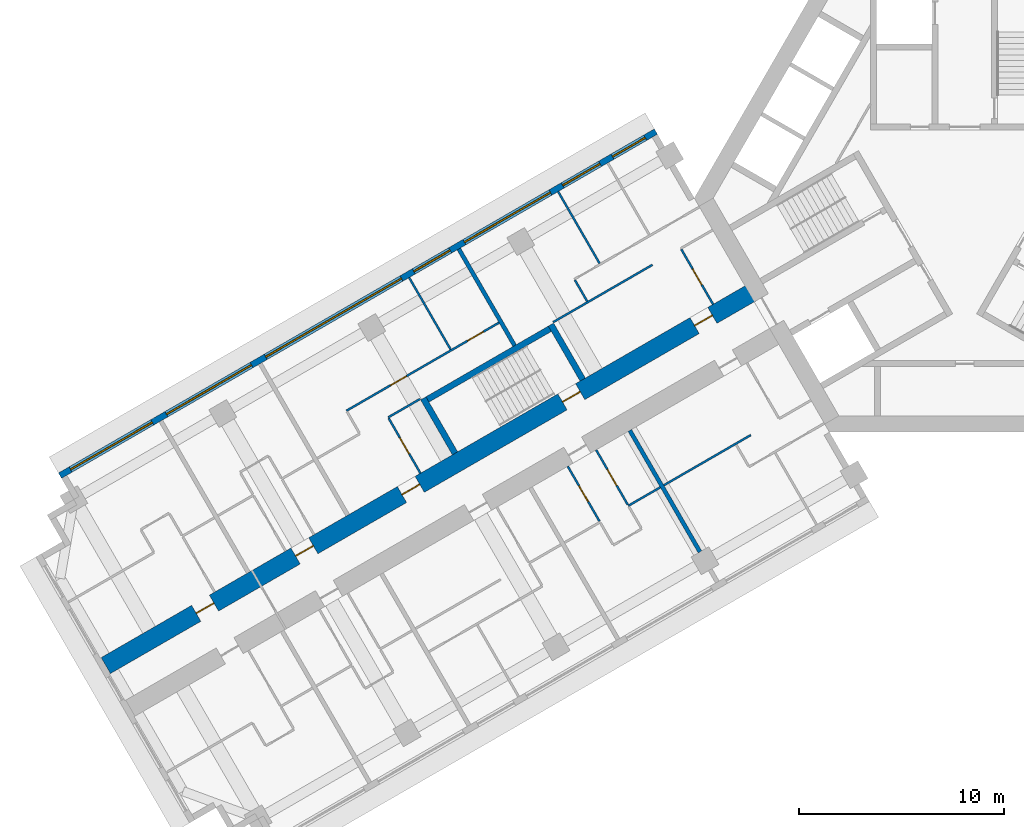
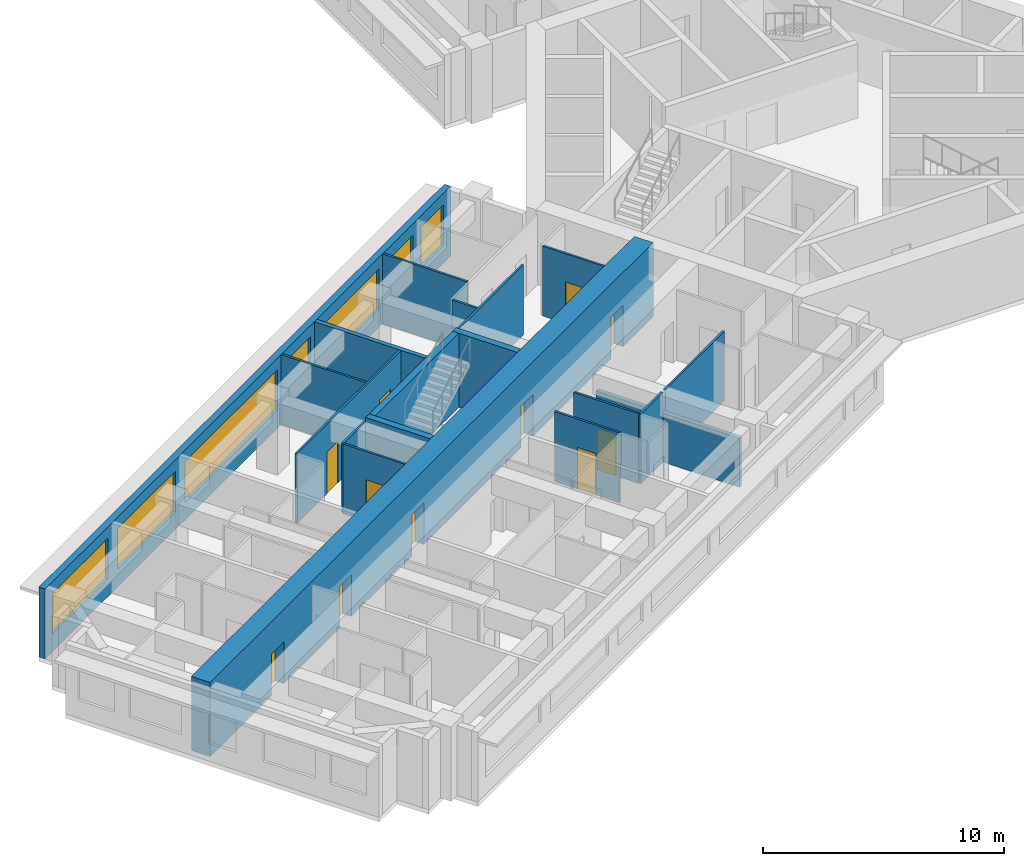
# One storey, part 5 of 15: 19 walls, 11 doors, 7 windows, 18 openings.
"""IFC4 building model written with IfcOpenShell, lengths in metres."""

from ifc_helpers import new_model, si_unit, direction, frame, frame_2d, origin, place, context, subcontext, project, spatial, rectangle, extrude, material, layer, layer_set, type_object, element, fill, save


model = new_model("IFC4")

# Units and contexts
model_context = context("Model", 3, precision=1e-05, world=origin(), true_north=direction((0.0, 1.0)))
body_context = subcontext(model_context, "Body", "Model", "MODEL_VIEW")
ifc_project = project(units=[si_unit("LENGTHUNIT", "METRE"), si_unit("AREAUNIT", "SQUARE_METRE"), si_unit("VOLUMEUNIT", "CUBIC_METRE"), si_unit("PLANEANGLEUNIT", "RADIAN"), si_unit("MASSUNIT", "GRAM", prefix="KILO")], contexts=[model_context])

# Site, building, storey
site_placement = place(None, origin())
site = spatial("IfcSite", under=ifc_project, at=site_placement, CompositionType="ELEMENT")
building_placement = place(site_placement, origin())
building = spatial("IfcBuilding", under=site, at=building_placement, Name="Impinga Residences", CompositionType="ELEMENT")
storey_placement = place(building_placement, frame((0.0, 0.0, 113.5)))
storey = spatial("IfcBuildingStorey", under=building, at=storey_placement, Name="L27", CompositionType="ELEMENT", Elevation=113.5)

# Wall, openings, doors
ifc_material_1 = material(Name="Concrete C60/75", Category="concrete")
ifc_layer_1 = layer(ifc_material_1, 0.89990234375)
ifc_layer_set_1 = layer_set([ifc_layer_1], Name="Concrete C60/75")
wall_type_1 = type_object("IfcWallType", Name="BW2 corridor buttress wall, L24 to L44 900", PredefinedType="SHEAR", material=ifc_layer_set_1)
wall_1_placement = place(storey_placement, frame((-10.153564453125, -4.4765625, 0.0), z_axis=(0.0, 0.0, 1.0), x_axis=(-0.866027614434, -0.499996171023, 0.0)))
wall_1 = element("IfcWall", 1, at=wall_1_placement, inside=storey, type_object=wall_type_1, Name="Corridor wall BW2 WD L27", PredefinedType="SHEAR", context=body_context, shape_type="SweptSolid", body=[
    extrude(rectangle(XDim=36.699951171875, YDim=0.89990234375, at=frame_2d((18.35009765625, 0.0))), origin(), (0.0, 0.0, 1.0), 3.75),
])
opening_1_placement = place(wall_1_placement, frame((9.949951171875, 0.0, 0.0)))
opening_1 = element("IfcOpeningElement", 2, at=opening_1_placement, cuts=wall_1, Name="Opening D5", PredefinedType="OPENING", context=body_context, shape_type="SweptSolid", body=[
    extrude(rectangle(XDim=1.0, YDim=2.10009765625, at=frame_2d((0.5, 1.050048828125))), frame((0.0, 0.4599609375, 0.0), z_axis=(0.0, -1.0, 0.0), x_axis=(1.0, 0.0, 0.0)), (0.0, 0.0, 1.0), 0.919921875),
])
opening_2_placement = place(wall_1_placement, frame((2.5, 0.0, 0.0)))
opening_2 = element("IfcOpeningElement", 3, at=opening_2_placement, cuts=wall_1, Name="Opening D1", PredefinedType="OPENING", context=body_context, shape_type="SweptSolid", body=[
    extrude(rectangle(XDim=1.0, YDim=2.10009765625, at=frame_2d((0.5, 1.050048828125))), frame((0.0, 0.4599609375, 0.0), z_axis=(0.0, -1.0, 0.0), x_axis=(1.0, 0.0, 0.0)), (0.0, 0.0, 1.0), 0.919921875),
])
opening_3_placement = place(wall_1_placement, frame((19.0, 0.0, 0.0)))
opening_3 = element("IfcOpeningElement", 4, at=opening_3_placement, cuts=wall_1, Name="Opening D1", PredefinedType="OPENING", context=body_context, shape_type="SweptSolid", body=[
    extrude(rectangle(XDim=1.0, YDim=2.10009765625, at=frame_2d((0.5, 1.050048828125))), frame((0.0, 0.4599609375, 0.0), z_axis=(0.0, -1.0, 0.0), x_axis=(1.0, 0.0, 0.0)), (0.0, 0.0, 1.0), 0.919921875),
])
opening_4_placement = place(wall_1_placement, frame((25.0, 0.0, 0.0)))
opening_4 = element("IfcOpeningElement", 5, at=opening_4_placement, cuts=wall_1, Name="Opening D1", PredefinedType="OPENING", context=body_context, shape_type="SweptSolid", body=[
    extrude(rectangle(XDim=1.0, YDim=2.10009765625, at=frame_2d((0.5, 1.050048828125))), frame((0.0, 0.4599609375, 0.0), z_axis=(0.0, -1.0, 0.0), x_axis=(1.0, 0.0, 0.0)), (0.0, 0.0, 1.0), 0.919921875),
])
opening_5_placement = place(wall_1_placement, frame((30.60009765625, 0.0, 0.0)))
opening_5 = element("IfcOpeningElement", 6, at=opening_5_placement, cuts=wall_1, Name="Opening D1", PredefinedType="OPENING", context=body_context, shape_type="SweptSolid", body=[
    extrude(rectangle(XDim=1.0, YDim=2.10009765625, at=frame_2d((0.5, 1.050048828125))), frame((0.0, 0.4599609375, 0.0), z_axis=(0.0, -1.0, 0.0), x_axis=(1.0, 0.0, 0.0)), (0.0, 0.0, 1.0), 0.919921875),
])
ifc_material_2 = material(Name="Timber door set", Category="wood")
door_type_1 = type_object("IfcDoorType", Name="D1 apartment entrance door 1000x2100", OperationType="SINGLE_SWING_LEFT", PredefinedType="DOOR", material=ifc_material_2)
door_1_placement = place(opening_2_placement, origin())
door_1 = element("IfcDoor", 7, at=door_1_placement, inside=storey, type_object=door_type_1, Name="Apartment L27-WF1 entrance", OperationType="SINGLE_SWING_LEFT", OverallHeight=2.10009765625, OverallWidth=1.0, PredefinedType="DOOR", context=body_context, shape_type="SweptSolid", body=[
    extrude(rectangle(XDim=1.0, YDim=2.10009765625, at=frame_2d((0.5, 1.050048828125))), frame((0.0, 0.02490234375, 0.0), z_axis=(0.0, -1.0, 0.0), x_axis=(1.0, 0.0, 0.0)), (0.0, 0.0, 1.0), 0.050048828125),
])
fill(opening_2, door_1)
door_2_placement = place(opening_3_placement, origin())
door_2 = element("IfcDoor", 8, at=door_2_placement, inside=storey, type_object=door_type_1, Name="Apartment L27-WF2 entrance", OperationType="SINGLE_SWING_RIGHT", OverallHeight=2.10009765625, OverallWidth=1.0, PredefinedType="DOOR", context=body_context, shape_type="SweptSolid", body=[
    extrude(rectangle(XDim=1.0, YDim=2.10009765625, at=frame_2d((0.5, 1.050048828125))), frame((0.0, 0.02490234375, 0.0), z_axis=(0.0, -1.0, 0.0), x_axis=(1.0, 0.0, 0.0)), (0.0, 0.0, 1.0), 0.050048828125),
])
fill(opening_3, door_2)
door_3_placement = place(opening_4_placement, origin())
door_3 = element("IfcDoor", 9, at=door_3_placement, inside=storey, type_object=door_type_1, Name="Apartment L27-WF3 entrance", OperationType="SINGLE_SWING_RIGHT", OverallHeight=2.10009765625, OverallWidth=1.0, PredefinedType="DOOR", context=body_context, shape_type="SweptSolid", body=[
    extrude(rectangle(XDim=1.0, YDim=2.10009765625, at=frame_2d((0.5, 1.050048828125))), frame((0.0, 0.02490234375, 0.0), z_axis=(0.0, -1.0, 0.0), x_axis=(1.0, 0.0, 0.0)), (0.0, 0.0, 1.0), 0.050048828125),
])
fill(opening_4, door_3)
door_4_placement = place(opening_5_placement, origin())
door_4 = element("IfcDoor", 10, at=door_4_placement, inside=storey, type_object=door_type_1, Name="Apartment L27-WF4 entrance", OperationType="SINGLE_SWING_RIGHT", OverallHeight=2.10009765625, OverallWidth=1.0, PredefinedType="DOOR", context=body_context, shape_type="SweptSolid", body=[
    extrude(rectangle(XDim=1.0, YDim=2.10009765625, at=frame_2d((0.5, 1.050048828125))), frame((0.0, 0.02490234375, 0.0), z_axis=(0.0, -1.0, 0.0), x_axis=(1.0, 0.0, 0.0)), (0.0, 0.0, 1.0), 0.050048828125),
])
fill(opening_5, door_4)
door_type_2 = type_object("IfcDoorType", Name="D5 stair door 1000x2100", OperationType="SINGLE_SWING_LEFT", PredefinedType="DOOR", material=ifc_material_2)
door_5_placement = place(opening_1_placement, origin())
door_5 = element("IfcDoor", 11, at=door_5_placement, inside=storey, type_object=door_type_2, Name="Wing stair door W", OperationType="SINGLE_SWING_LEFT", OverallHeight=2.10009765625, OverallWidth=1.0, PredefinedType="DOOR", context=body_context, shape_type="SweptSolid", body=[
    extrude(rectangle(XDim=1.0, YDim=2.10009765625, at=frame_2d((0.5, 1.050048828125))), frame((0.0, 0.02490234375, 0.0), z_axis=(0.0, -1.0, 0.0), x_axis=(1.0, 0.0, 0.0)), (0.0, 0.0, 1.0), 0.050048828125),
])
fill(opening_1, door_5)

# Wall, openings, windows
ifc_material_3 = material(Name="Terracotta rainscreen on blockwork", Category="masonry")
ifc_layer_2 = layer(ifc_material_3, 0.300048828125)
ifc_layer_set_2 = layer_set([ifc_layer_2], Name="EW1 external wall, terracotta rainscreen on blockwork 300")
wall_type_2 = type_object("IfcWallType", Name="EW1 external wall, terracotta rainscreen on blockwork 300", PredefinedType="SOLIDWALL", material=ifc_layer_set_2)
wall_2_placement = place(storey_placement, frame((-44.17333984375, -13.552490234375, 0.0), z_axis=(0.0, 0.0, 1.0), x_axis=(0.866024291668, 0.500001926238, 0.0)))
wall_2 = element("IfcWall", 12, at=wall_2_placement, inside=storey, type_object=wall_type_2, Name="External wall EW1 L27", PredefinedType="SOLIDWALL", context=body_context, shape_type="SweptSolid", body=[
    extrude(rectangle(XDim=33.599853515625, YDim=0.300048828125, at=frame_2d((16.7998046875, 0.0))), origin(), (0.0, 0.0, 1.0), 3.530029296875),
])
opening_6_placement = place(wall_2_placement, frame((0.60009765625, 0.0, 0.89990234375)))
opening_6 = element("IfcOpeningElement", 13, at=opening_6_placement, cuts=wall_2, Name="Opening W3", PredefinedType="OPENING", context=body_context, shape_type="SweptSolid", body=[
    extrude(rectangle(XDim=4.60009765625, YDim=2.050048828125, at=frame_2d((2.300048828125, 1.02490234375))), frame((0.0, 0.159912109375, 0.0), z_axis=(0.0, -1.0, 0.0), x_axis=(1.0, 0.0, 0.0)), (0.0, 0.0, 1.0), 0.320068359375),
])
opening_7_placement = place(wall_2_placement, frame((6.0, 0.0, 0.89990234375)))
opening_7 = element("IfcOpeningElement", 14, at=opening_7_placement, cuts=wall_2, Name="Opening W8", PredefinedType="OPENING", context=body_context, shape_type="SweptSolid", body=[
    extrude(rectangle(XDim=4.800048828125, YDim=2.050048828125, at=frame_2d((2.39990234375, 1.02490234375))), frame((0.0, 0.159912109375, 0.0), z_axis=(0.0, -1.0, 0.0), x_axis=(1.0, 0.0, 0.0)), (0.0, 0.0, 1.0), 0.320068359375),
])
opening_8_placement = place(wall_2_placement, frame((11.60009765625, 0.0, 0.89990234375)))
opening_8 = element("IfcOpeningElement", 15, at=opening_8_placement, cuts=wall_2, Name="Opening W13", PredefinedType="OPENING", context=body_context, shape_type="SweptSolid", body=[
    extrude(rectangle(XDim=7.64990234375, YDim=2.050048828125, at=frame_2d((3.824951171875, 1.02490234375))), frame((0.0, 0.159912109375, 0.0), z_axis=(0.0, -1.0, 0.0), x_axis=(1.0, 0.0, 0.0)), (0.0, 0.0, 1.0), 0.320068359375),
])
opening_9_placement = place(wall_2_placement, frame((19.949951171875, 0.0, 0.89990234375)))
opening_9 = element("IfcOpeningElement", 16, at=opening_9_placement, cuts=wall_2, Name="Opening W14", PredefinedType="OPENING", context=body_context, shape_type="SweptSolid", body=[
    extrude(rectangle(XDim=2.050048828125, YDim=2.050048828125, at=frame_2d((1.02490234375, 1.02490234375))), frame((0.0, 0.159912109375, 0.0), z_axis=(0.0, -1.0, 0.0), x_axis=(1.0, 0.0, 0.0)), (0.0, 0.0, 1.0), 0.320068359375),
])
opening_10_placement = place(wall_2_placement, frame((22.800048828125, 0.0, 0.89990234375)))
opening_10 = element("IfcOpeningElement", 17, at=opening_10_placement, cuts=wall_2, Name="Opening W6", PredefinedType="OPENING", context=body_context, shape_type="SweptSolid", body=[
    extrude(rectangle(XDim=4.85009765625, YDim=2.050048828125, at=frame_2d((2.425048828125, 1.02490234375))), frame((0.0, 0.159912109375, 0.0), z_axis=(0.0, -1.0, 0.0), x_axis=(1.0, 0.0, 0.0)), (0.0, 0.0, 1.0), 0.320068359375),
])
opening_11_placement = place(wall_2_placement, frame((28.35009765625, 0.0, 0.89990234375)))
opening_11 = element("IfcOpeningElement", 18, at=opening_11_placement, cuts=wall_2, Name="Opening W9", PredefinedType="OPENING", context=body_context, shape_type="SweptSolid", body=[
    extrude(rectangle(XDim=2.10009765625, YDim=2.050048828125, at=frame_2d((1.050048828125, 1.02490234375))), frame((0.0, 0.159912109375, 0.0), z_axis=(0.0, -1.0, 0.0), x_axis=(1.0, 0.0, 0.0)), (0.0, 0.0, 1.0), 0.320068359375),
])
opening_12_placement = place(wall_2_placement, frame((31.14990234375, 0.0, 0.89990234375)))
opening_12 = element("IfcOpeningElement", 19, at=opening_12_placement, cuts=wall_2, Name="Opening W15", PredefinedType="OPENING", context=body_context, shape_type="SweptSolid", body=[
    extrude(rectangle(XDim=1.85009765625, YDim=2.050048828125, at=frame_2d((0.925048828125, 1.02490234375))), frame((0.0, 0.159912109375, 0.0), z_axis=(0.0, -1.0, 0.0), x_axis=(1.0, 0.0, 0.0)), (0.0, 0.0, 1.0), 0.320068359375),
])
ifc_material_4 = material(Name="Aluminium window, clear double glazing", Category="aluminium")
window_type_1 = type_object("IfcWindowType", Name="W13 ribbon window 7650x2050", PartitioningType="SINGLE_PANEL", PredefinedType="WINDOW", material=ifc_material_4)
window_1_placement = place(opening_8_placement, origin())
window_1 = element("IfcWindow", 20, at=window_1_placement, inside=storey, type_object=window_type_1, Name="Window L27", OverallHeight=2.050048828125, OverallWidth=7.64990234375, PartitioningType="SINGLE_PANEL", PredefinedType="WINDOW", context=body_context, shape_type="SweptSolid", body=[
    extrude(rectangle(XDim=7.64990234375, YDim=2.050048828125, at=frame_2d((3.824951171875, 1.02490234375))), frame((0.0, 0.030029296875, 0.0), z_axis=(0.0, -1.0, 0.0), x_axis=(1.0, 0.0, 0.0)), (0.0, 0.0, 1.0), 0.06005859375),
])
fill(opening_8, window_1)
window_type_2 = type_object("IfcWindowType", Name="W14 ribbon window 2050x2050", PartitioningType="SINGLE_PANEL", PredefinedType="WINDOW", material=ifc_material_4)
window_2_placement = place(opening_9_placement, origin())
window_2 = element("IfcWindow", 21, at=window_2_placement, inside=storey, type_object=window_type_2, Name="Window L27", OverallHeight=2.050048828125, OverallWidth=2.050048828125, PartitioningType="SINGLE_PANEL", PredefinedType="WINDOW", context=body_context, shape_type="SweptSolid", body=[
    extrude(rectangle(XDim=2.050048828125, YDim=2.050048828125, at=frame_2d((1.02490234375, 1.02490234375))), frame((0.0, 0.030029296875, 0.0), z_axis=(0.0, -1.0, 0.0), x_axis=(1.0, 0.0, 0.0)), (0.0, 0.0, 1.0), 0.06005859375),
])
fill(opening_9, window_2)
window_type_3 = type_object("IfcWindowType", Name="W15 ribbon window 1850x2050", PartitioningType="SINGLE_PANEL", PredefinedType="WINDOW", material=ifc_material_4)
window_3_placement = place(opening_12_placement, origin())
window_3 = element("IfcWindow", 22, at=window_3_placement, inside=storey, type_object=window_type_3, Name="Window L27", OverallHeight=2.050048828125, OverallWidth=1.85009765625, PartitioningType="SINGLE_PANEL", PredefinedType="WINDOW", context=body_context, shape_type="SweptSolid", body=[
    extrude(rectangle(XDim=1.85009765625, YDim=2.050048828125, at=frame_2d((0.925048828125, 1.02490234375))), frame((0.0, 0.030029296875, 0.0), z_axis=(0.0, -1.0, 0.0), x_axis=(1.0, 0.0, 0.0)), (0.0, 0.0, 1.0), 0.06005859375),
])
fill(opening_12, window_3)
window_type_4 = type_object("IfcWindowType", Name="W3 ribbon window 4600x2050", PartitioningType="SINGLE_PANEL", PredefinedType="WINDOW", material=ifc_material_4)
window_4_placement = place(opening_6_placement, origin())
window_4 = element("IfcWindow", 23, at=window_4_placement, inside=storey, type_object=window_type_4, Name="Window L27", OverallHeight=2.050048828125, OverallWidth=4.60009765625, PartitioningType="SINGLE_PANEL", PredefinedType="WINDOW", context=body_context, shape_type="SweptSolid", body=[
    extrude(rectangle(XDim=4.60009765625, YDim=2.050048828125, at=frame_2d((2.300048828125, 1.02490234375))), frame((0.0, 0.030029296875, 0.0), z_axis=(0.0, -1.0, 0.0), x_axis=(1.0, 0.0, 0.0)), (0.0, 0.0, 1.0), 0.06005859375),
])
fill(opening_6, window_4)
window_type_5 = type_object("IfcWindowType", Name="W6 ribbon window 4850x2050", PartitioningType="SINGLE_PANEL", PredefinedType="WINDOW", material=ifc_material_4)
window_5_placement = place(opening_10_placement, origin())
window_5 = element("IfcWindow", 24, at=window_5_placement, inside=storey, type_object=window_type_5, Name="Window L27", OverallHeight=2.050048828125, OverallWidth=4.85009765625, PartitioningType="SINGLE_PANEL", PredefinedType="WINDOW", context=body_context, shape_type="SweptSolid", body=[
    extrude(rectangle(XDim=4.85009765625, YDim=2.050048828125, at=frame_2d((2.425048828125, 1.02490234375))), frame((0.0, 0.030029296875, 0.0), z_axis=(0.0, -1.0, 0.0), x_axis=(1.0, 0.0, 0.0)), (0.0, 0.0, 1.0), 0.06005859375),
])
fill(opening_10, window_5)
window_type_6 = type_object("IfcWindowType", Name="W8 ribbon window 4800x2050", PartitioningType="SINGLE_PANEL", PredefinedType="WINDOW", material=ifc_material_4)
window_6_placement = place(opening_7_placement, origin())
window_6 = element("IfcWindow", 25, at=window_6_placement, inside=storey, type_object=window_type_6, Name="Window L27", OverallHeight=2.050048828125, OverallWidth=4.800048828125, PartitioningType="SINGLE_PANEL", PredefinedType="WINDOW", context=body_context, shape_type="SweptSolid", body=[
    extrude(rectangle(XDim=4.800048828125, YDim=2.050048828125, at=frame_2d((2.39990234375, 1.02490234375))), frame((0.0, 0.030029296875, 0.0), z_axis=(0.0, -1.0, 0.0), x_axis=(1.0, 0.0, 0.0)), (0.0, 0.0, 1.0), 0.06005859375),
])
fill(opening_7, window_6)
window_type_7 = type_object("IfcWindowType", Name="W9 ribbon window 2100x2050", PartitioningType="SINGLE_PANEL", PredefinedType="WINDOW", material=ifc_material_4)
window_7_placement = place(opening_11_placement, origin())
window_7 = element("IfcWindow", 26, at=window_7_placement, inside=storey, type_object=window_type_7, Name="Window L27", OverallHeight=2.050048828125, OverallWidth=2.10009765625, PartitioningType="SINGLE_PANEL", PredefinedType="WINDOW", context=body_context, shape_type="SweptSolid", body=[
    extrude(rectangle(XDim=2.10009765625, YDim=2.050048828125, at=frame_2d((1.050048828125, 1.02490234375))), frame((0.0, 0.030029296875, 0.0), z_axis=(0.0, -1.0, 0.0), x_axis=(1.0, 0.0, 0.0)), (0.0, 0.0, 1.0), 0.06005859375),
])
fill(opening_11, window_7)

# Walls
ifc_material_5 = material(Name="Gypsum board on steel studs", Category="steel")
ifc_layer_3 = layer(ifc_material_5, 0.10009765625)
ifc_layer_set_3 = layer_set([ifc_layer_3], Name="Gypsum board on steel studs")
wall_type_3 = type_object("IfcWallType", Name="IP1 partition 100", PredefinedType="PARTITIONING", material=ifc_layer_set_3)
wall_3_placement = place(storey_placement, frame((-10.444580078125, -11.57275390625, 0.0), z_axis=(0.0, 0.0, 1.0), x_axis=(-0.866023786258, -0.500002801628, 0.0)))
element("IfcWall", 27, at=wall_3_placement, inside=storey, type_object=wall_type_3, Name="Partition L27-WA1:DIV1", PredefinedType="PARTITIONING", context=body_context, shape_type="SweptSolid", body=[
    extrude(rectangle(XDim=4.89990234375, YDim=0.10009765625, at=frame_2d((2.449951171875, 0.0))), origin(), (0.0, 0.0, 1.0), 3.530029296875),
])
wall_4_placement = place(storey_placement, frame((-14.861328125, -14.122802734375, 0.0), z_axis=(0.0, 0.0, 1.0), x_axis=(-0.866047807691, -0.499961193289, 0.0)))
element("IfcWall", 28, at=wall_4_placement, inside=storey, type_object=wall_type_3, Name="Partition L27-WA2:DIV0", PredefinedType="PARTITIONING", context=body_context, shape_type="SweptSolid", body=[
    extrude(rectangle(XDim=1.800048828125, YDim=0.10009765625, at=frame_2d((0.89990234375, 0.0))), origin(), (0.0, 0.0, 1.0), 3.530029296875),
])

# Wall, opening, door
wall_5_placement = place(storey_placement, frame((-17.9951171875, -12.294677734375, 0.0), z_axis=(0.0, 0.0, 1.0), x_axis=(0.49999285859, -0.86602952684, 0.0)))
wall_5 = element("IfcWall", 29, at=wall_5_placement, inside=storey, type_object=wall_type_3, Name="Partition L27-WA2:IB1", PredefinedType="PARTITIONING", context=body_context, shape_type="SweptSolid", body=[
    extrude(rectangle(XDim=3.10009765625, YDim=0.10009765625, at=frame_2d((1.550048828125, 0.0))), origin(), (0.0, 0.0, 1.0), 3.530029296875),
])
opening_13_placement = place(wall_5_placement, frame((1.10009765625, 0.0, 0.0)))
opening_13 = element("IfcOpeningElement", 30, at=opening_13_placement, cuts=wall_5, Name="Opening D2", PredefinedType="OPENING", context=body_context, shape_type="SweptSolid", body=[
    extrude(rectangle(XDim=0.89990234375, YDim=2.10009765625, at=frame_2d((0.449951171875, 1.050048828125))), frame((0.0, 0.06005859375, 0.0), z_axis=(0.0, -1.0, 0.0), x_axis=(1.0, 0.0, 0.0)), (0.0, 0.0, 1.0), 0.1201171875),
])
door_type_3 = type_object("IfcDoorType", Name="D2 internal door 900x2100", OperationType="SINGLE_SWING_LEFT", PredefinedType="DOOR", material=ifc_material_2)
door_6_placement = place(opening_13_placement, origin())
door_6 = element("IfcDoor", 31, at=door_6_placement, inside=storey, type_object=door_type_3, Name="Apartment L27-WA2 bathroom door", OperationType="SINGLE_SWING_LEFT", OverallHeight=2.10009765625, OverallWidth=0.89990234375, PredefinedType="DOOR", context=body_context, shape_type="SweptSolid", body=[
    extrude(rectangle(XDim=0.89990234375, YDim=2.10009765625, at=frame_2d((0.449951171875, 1.050048828125))), frame((0.0, 0.02490234375, 0.0), z_axis=(0.0, -1.0, 0.0), x_axis=(1.0, 0.0, 0.0)), (0.0, 0.0, 1.0), 0.050048828125),
])
fill(opening_13, door_6)

wall_6_placement = place(storey_placement, frame((-19.380615234375, -13.0947265625, 0.0), z_axis=(0.0, 0.0, 1.0), x_axis=(0.499967891604, -0.866043940782, 0.0)))
wall_6 = element("IfcWall", 32, at=wall_6_placement, inside=storey, type_object=wall_type_3, Name="Partition L27-WA2:IB2", PredefinedType="PARTITIONING", context=body_context, shape_type="SweptSolid", body=[
    extrude(rectangle(XDim=3.099853515625, YDim=0.10009765625, at=frame_2d((1.5498046875, 0.0))), origin(), (0.0, 0.0, 1.0), 3.530029296875),
])
opening_14_placement = place(wall_6_placement, frame((1.10009765625, 0.0, 0.0)))
opening_14 = element("IfcOpeningElement", 33, at=opening_14_placement, cuts=wall_6, Name="Opening D2", PredefinedType="OPENING", context=body_context, shape_type="SweptSolid", body=[
    extrude(rectangle(XDim=0.89990234375, YDim=2.10009765625, at=frame_2d((0.449951171875, 1.050048828125))), frame((0.0, 0.06005859375, 0.0), z_axis=(0.0, -1.0, 0.0), x_axis=(1.0, 0.0, 0.0)), (0.0, 0.0, 1.0), 0.1201171875),
])
door_7_placement = place(opening_14_placement, origin())
door_7 = element("IfcDoor", 34, at=door_7_placement, inside=storey, type_object=door_type_3, Name="Apartment L27-WA2 WC door", OperationType="SINGLE_SWING_LEFT", OverallHeight=2.10009765625, OverallWidth=0.89990234375, PredefinedType="DOOR", context=body_context, shape_type="SweptSolid", body=[
    extrude(rectangle(XDim=0.89990234375, YDim=2.10009765625, at=frame_2d((0.449951171875, 1.050048828125))), frame((0.0, 0.02490234375, 0.0), z_axis=(0.0, -1.0, 0.0), x_axis=(1.0, 0.0, 0.0)), (0.0, 0.0, 1.0), 0.050048828125),
])
fill(opening_14, door_7)

# Walls
wall_7_placement = place(storey_placement, frame((-15.244384765625, -3.2587890625, 0.0), z_axis=(0.0, 0.0, 1.0), x_axis=(-0.866026594901, -0.49999793692, 0.0)))
element("IfcWall", 35, at=wall_7_placement, inside=storey, type_object=wall_type_3, Name="Partition L27-WF1:DIV1", PredefinedType="PARTITIONING", context=body_context, shape_type="SweptSolid", body=[
    extrude(rectangle(XDim=5.60009765625, YDim=0.10009765625, at=frame_2d((2.800048828125, 0.0))), origin(), (0.0, 0.0, 1.0), 3.530029296875),
])
wall_8_placement = place(storey_placement, frame((-18.430419921875, -5.04052734375, 0.0), z_axis=(0.0, 0.0, 1.0), x_axis=(-0.500033551112, 0.866006032174, 0.0)))
element("IfcWall", 36, at=wall_8_placement, inside=storey, type_object=wall_type_3, Name="Partition L27-WF1:SE1", PredefinedType="PARTITIONING", context=body_context, shape_type="SweptSolid", body=[
    extrude(rectangle(XDim=1.2001953125, YDim=0.10009765625, at=frame_2d((0.60009765625, 0.0))), origin(), (0.0, 0.0, 1.0), 3.530029296875),
])

# Wall, opening, door
wall_9_placement = place(storey_placement, frame((-12.283935546875, -5.186767578125, 0.0), z_axis=(0.0, 0.0, 1.0), x_axis=(-0.499967891604, 0.866043940782, 0.0)))
wall_9 = element("IfcWall", 37, at=wall_9_placement, inside=storey, type_object=wall_type_3, Name="Partition L27-WF1:IB1", PredefinedType="PARTITIONING", context=body_context, shape_type="SweptSolid", body=[
    extrude(rectangle(XDim=3.099853515625, YDim=0.10009765625, at=frame_2d((1.5498046875, 0.0))), origin(), (0.0, 0.0, 1.0), 3.530029296875),
])
opening_15_placement = place(wall_9_placement, frame((1.10009765625, 0.0, 0.0)))
opening_15 = element("IfcOpeningElement", 38, at=opening_15_placement, cuts=wall_9, Name="Opening D2", PredefinedType="OPENING", context=body_context, shape_type="SweptSolid", body=[
    extrude(rectangle(XDim=0.89990234375, YDim=2.10009765625, at=frame_2d((0.449951171875, 1.050048828125))), frame((0.0, 0.06005859375, 0.0), z_axis=(0.0, -1.0, 0.0), x_axis=(1.0, 0.0, 0.0)), (0.0, 0.0, 1.0), 0.1201171875),
])
door_8_placement = place(opening_15_placement, origin())
door_8 = element("IfcDoor", 39, at=door_8_placement, inside=storey, type_object=door_type_3, Name="Apartment L27-WF1 bathroom door", OperationType="SINGLE_SWING_LEFT", OverallHeight=2.10009765625, OverallWidth=0.89990234375, PredefinedType="DOOR", context=body_context, shape_type="SweptSolid", body=[
    extrude(rectangle(XDim=0.89990234375, YDim=2.10009765625, at=frame_2d((0.449951171875, 1.050048828125))), frame((0.0, 0.02490234375, 0.0), z_axis=(0.0, -1.0, 0.0), x_axis=(1.0, 0.0, 0.0)), (0.0, 0.0, 1.0), 0.050048828125),
])
fill(opening_15, door_8)

# Walls
wall_10_placement = place(storey_placement, frame((-17.82470703125, -3.189697265625, 0.0), z_axis=(0.0, 0.0, 1.0), x_axis=(-0.500035537042, 0.866004885491, 0.0)))
element("IfcWall", 40, at=wall_10_placement, inside=storey, type_object=wall_type_3, Name="Partition L27-WF1:OB2", PredefinedType="PARTITIONING", context=body_context, shape_type="SweptSolid", body=[
    extrude(rectangle(XDim=4.050048828125, YDim=0.10009765625, at=frame_2d((2.02490234375, 0.0))), origin(), (0.0, 0.0, 1.0), 3.530029296875),
])
wall_11_placement = place(storey_placement, frame((-26.58935546875, -9.808837890625, 0.0), z_axis=(0.0, 0.0, 1.0), x_axis=(-0.866047807691, -0.499961193289, 0.0)))
element("IfcWall", 41, at=wall_11_placement, inside=storey, type_object=wall_type_3, Name="Partition L27-WF2:DIV0", PredefinedType="PARTITIONING", context=body_context, shape_type="SweptSolid", body=[
    extrude(rectangle(XDim=1.800048828125, YDim=0.10009765625, at=frame_2d((0.89990234375, 0.0))), origin(), (0.0, 0.0, 1.0), 3.530029296875),
])

# Wall, openings, doors
wall_12_placement = place(storey_placement, frame((-22.736083984375, -6.0830078125, 0.0), z_axis=(0.0, 0.0, 1.0), x_axis=(-0.866021068297, -0.500007509209, 0.0)))
wall_12 = element("IfcWall", 42, at=wall_12_placement, inside=storey, type_object=wall_type_3, Name="Partition L27-WF2:STRIP", PredefinedType="PARTITIONING", context=body_context, shape_type="SweptSolid", body=[
    extrude(rectangle(XDim=8.599853515625, YDim=0.10009765625, at=frame_2d((4.2998046875, 0.0))), origin(), (0.0, 0.0, 1.0), 3.530029296875),
])
opening_16_placement = place(wall_12_placement, frame((0.875, 0.0, 0.0)))
opening_16 = element("IfcOpeningElement", 43, at=opening_16_placement, cuts=wall_12, Name="Opening D2", PredefinedType="OPENING", context=body_context, shape_type="SweptSolid", body=[
    extrude(rectangle(XDim=0.89990234375, YDim=2.10009765625, at=frame_2d((0.449951171875, 1.050048828125))), frame((0.0, 0.06005859375, 0.0), z_axis=(0.0, -1.0, 0.0), x_axis=(1.0, 0.0, 0.0)), (0.0, 0.0, 1.0), 0.1201171875),
])
opening_17_placement = place(wall_12_placement, frame((5.22509765625, 0.0, 0.0)))
opening_17 = element("IfcOpeningElement", 44, at=opening_17_placement, cuts=wall_12, Name="Opening D2", PredefinedType="OPENING", context=body_context, shape_type="SweptSolid", body=[
    extrude(rectangle(XDim=0.89990234375, YDim=2.10009765625, at=frame_2d((0.449951171875, 1.050048828125))), frame((0.0, 0.06005859375, 0.0), z_axis=(0.0, -1.0, 0.0), x_axis=(1.0, 0.0, 0.0)), (0.0, 0.0, 1.0), 0.1201171875),
])
door_9_placement = place(opening_16_placement, origin())
door_9 = element("IfcDoor", 45, at=door_9_placement, inside=storey, type_object=door_type_3, Name="Apartment L27-WF2 room door", OperationType="SINGLE_SWING_LEFT", OverallHeight=2.10009765625, OverallWidth=0.89990234375, PredefinedType="DOOR", context=body_context, shape_type="SweptSolid", body=[
    extrude(rectangle(XDim=0.89990234375, YDim=2.10009765625, at=frame_2d((0.449951171875, 1.050048828125))), frame((0.0, 0.02490234375, 0.0), z_axis=(0.0, -1.0, 0.0), x_axis=(1.0, 0.0, 0.0)), (0.0, 0.0, 1.0), 0.050048828125),
])
fill(opening_16, door_9)
door_10_placement = place(opening_17_placement, origin())
door_10 = element("IfcDoor", 46, at=door_10_placement, inside=storey, type_object=door_type_3, Name="Apartment L27-WF2 room door", OperationType="SINGLE_SWING_RIGHT", OverallHeight=2.10009765625, OverallWidth=0.89990234375, PredefinedType="DOOR", context=body_context, shape_type="SweptSolid", body=[
    extrude(rectangle(XDim=0.89990234375, YDim=2.10009765625, at=frame_2d((0.449951171875, 1.050048828125))), frame((0.0, 0.02490234375, 0.0), z_axis=(0.0, -1.0, 0.0), x_axis=(1.0, 0.0, 0.0)), (0.0, 0.0, 1.0), 0.050048828125),
])
fill(opening_17, door_10)

# Wall, opening, door
wall_13_placement = place(storey_placement, frame((-26.5732421875, -13.436767578125, 0.0), z_axis=(0.0, 0.0, 1.0), x_axis=(-0.500026960575, 0.86600983753, 0.0)))
wall_13 = element("IfcWall", 47, at=wall_13_placement, inside=storey, type_object=wall_type_3, Name="Partition L27-WF2:IB1", PredefinedType="PARTITIONING", context=body_context, shape_type="SweptSolid", body=[
    extrude(rectangle(XDim=3.099853515625, YDim=0.10009765625, at=frame_2d((1.5498046875, 0.0))), origin(), (0.0, 0.0, 1.0), 3.530029296875),
])
opening_18_placement = place(wall_13_placement, frame((1.10009765625, 0.0, 0.0)))
opening_18 = element("IfcOpeningElement", 48, at=opening_18_placement, cuts=wall_13, Name="Opening D2", PredefinedType="OPENING", context=body_context, shape_type="SweptSolid", body=[
    extrude(rectangle(XDim=0.89990234375, YDim=2.10009765625, at=frame_2d((0.449951171875, 1.050048828125))), frame((0.0, 0.06005859375, 0.0), z_axis=(0.0, -1.0, 0.0), x_axis=(1.0, 0.0, 0.0)), (0.0, 0.0, 1.0), 0.1201171875),
])
door_11_placement = place(opening_18_placement, origin())
door_11 = element("IfcDoor", 49, at=door_11_placement, inside=storey, type_object=door_type_3, Name="Apartment L27-WF2 bathroom door", OperationType="SINGLE_SWING_LEFT", OverallHeight=2.10009765625, OverallWidth=0.89990234375, PredefinedType="DOOR", context=body_context, shape_type="SweptSolid", body=[
    extrude(rectangle(XDim=0.89990234375, YDim=2.10009765625, at=frame_2d((0.449951171875, 1.050048828125))), frame((0.0, 0.02490234375, 0.0), z_axis=(0.0, -1.0, 0.0), x_axis=(1.0, 0.0, 0.0)), (0.0, 0.0, 1.0), 0.050048828125),
])
fill(opening_18, door_11)

# Walls
wall_14_placement = place(storey_placement, frame((-25.099365234375, -7.3896484375, 0.0), z_axis=(0.0, 0.0, 1.0), x_axis=(-0.499990325971, 0.866030989016, 0.0)))
element("IfcWall", 50, at=wall_14_placement, inside=storey, type_object=wall_type_3, Name="Partition L27-WF2:OB1", PredefinedType="PARTITIONING", context=body_context, shape_type="SweptSolid", body=[
    extrude(rectangle(XDim=4.0498046875, YDim=0.10009765625, at=frame_2d((2.02490234375, 0.0))), origin(), (0.0, 0.0, 1.0), 3.530029296875),
])
ifc_material_6 = material(Name="Concrete blockwork", Category="masonry")
ifc_layer_4 = layer(ifc_material_6, 0.199951171875)
ifc_layer_set_4 = layer_set([ifc_layer_4], Name="PW1 party wall between apartments 200")
wall_type_4 = type_object("IfcWallType", Name="PW1 party wall between apartments 200", PredefinedType="SOLIDWALL", material=ifc_layer_set_4)
wall_15_placement = place(storey_placement, frame((-16.349609375, -11.3447265625, 0.0), z_axis=(0.0, 0.0, 1.0), x_axis=(0.499999086063, -0.866025931445, 0.0)))
element("IfcWall", 51, at=wall_15_placement, inside=storey, type_object=wall_type_4, Name="Party wall between apartments L27-WA1:PARTY", PredefinedType="SOLIDWALL", context=body_context, shape_type="SweptSolid", body=[
    extrude(rectangle(XDim=6.85009765625, YDim=0.199951171875, at=frame_2d((3.425048828125, 0.0))), origin(), (0.0, 0.0, 1.0), 2.47998046875),
])
wall_16_placement = place(storey_placement, frame((-21.974365234375, -7.2021484375, 0.0), z_axis=(0.0, 0.0, 1.0), x_axis=(-0.500022328685, 0.866012511928, 0.0)))
element("IfcWall", 52, at=wall_16_placement, inside=storey, type_object=wall_type_4, Name="Party wall between apartments L27-WF1:PARTY", PredefinedType="SOLIDWALL", context=body_context, shape_type="SweptSolid", body=[
    extrude(rectangle(XDim=5.449951171875, YDim=0.199951171875, at=frame_2d((2.72509765625, 0.0))), origin(), (0.0, 0.0, 1.0), 3.530029296875),
])
ifc_layer_5 = layer(ifc_material_1, 0.300048828125)
ifc_layer_set_5 = layer_set([ifc_layer_5], Name="Concrete C60/75")
wall_type_5 = type_object("IfcWallType", Name="SE1 wing stair enclosure wall 300", PredefinedType="SOLIDWALL", material=ifc_layer_set_5)
wall_17_placement = place(storey_placement, frame((-18.649169921875, -8.86181640625, 0.0), z_axis=(0.0, 0.0, 1.0), x_axis=(-0.500026960575, 0.86600983753, 0.0)))
element("IfcWall", 53, at=wall_17_placement, inside=storey, type_object=wall_type_5, Name="Stair enclosure wall SE1 W END0 L27", PredefinedType="SOLIDWALL", context=body_context, shape_type="SweptSolid", body=[
    extrude(rectangle(XDim=3.099853515625, YDim=0.300048828125, at=frame_2d((1.5498046875, 0.0))), origin(), (0.0, 0.0, 1.0), 3.75),
])
wall_18_placement = place(storey_placement, frame((-24.884521484375, -12.4619140625, 0.0), z_axis=(0.0, 0.0, 1.0), x_axis=(-0.49999285859, 0.86602952684, 0.0)))
element("IfcWall", 54, at=wall_18_placement, inside=storey, type_object=wall_type_5, Name="Stair enclosure wall SE1 W END1 L27", PredefinedType="SOLIDWALL", context=body_context, shape_type="SweptSolid", body=[
    extrude(rectangle(XDim=3.10009765625, YDim=0.300048828125, at=frame_2d((1.550048828125, 0.0))), origin(), (0.0, 0.0, 1.0), 3.75),
])
wall_19_placement = place(storey_placement, frame((-20.254150390625, -6.382080078125, 0.0), z_axis=(0.0, 0.0, 1.0), x_axis=(-0.866020008033, -0.500009345598, 0.0)))
element("IfcWall", 55, at=wall_19_placement, inside=storey, type_object=wall_type_5, Name="Stair enclosure wall SE1 W OUT L27", PredefinedType="SOLIDWALL", context=body_context, shape_type="SweptSolid", body=[
    extrude(rectangle(XDim=6.899658203125, YDim=0.300048828125, at=frame_2d((3.44970703125, 0.0))), origin(), (0.0, 0.0, 1.0), 3.75),
])

save(model, "model.ifc")
